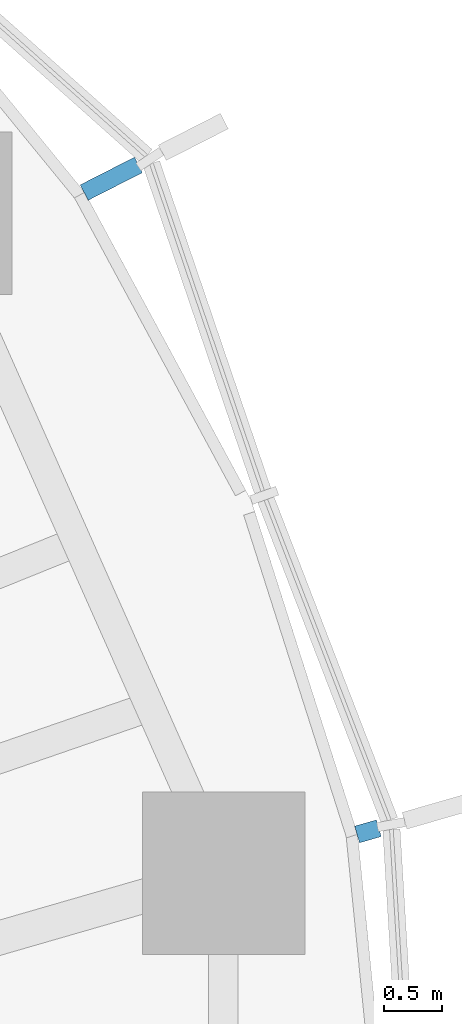
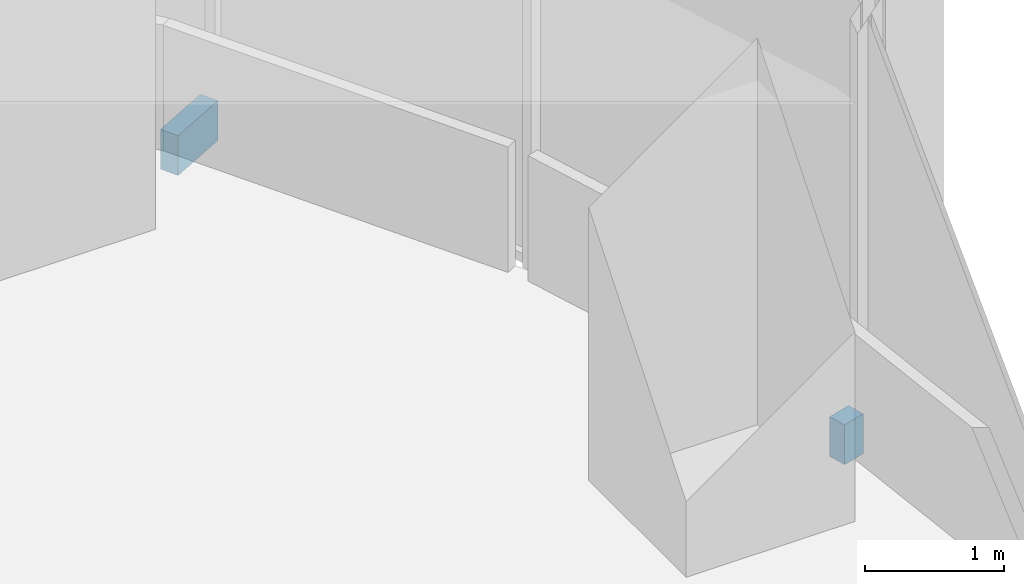
# One storey, part 16 of 18: 2 discrete accessories.
"""IFC4 building model written with IfcOpenShell, lengths in metres."""

from ifc_helpers import new_model, si_unit, direction, frame, origin, origin_2d, place, context, subcontext, project, spatial, rectangle, extrude, material, type_object, element, save


model = new_model("IFC4")

# Units and contexts
model_context = context("Model", 3, precision=1e-05, world=origin(), true_north=direction((0.0, 1.0)))
body_context = subcontext(model_context, "Body", "Model", "MODEL_VIEW")
ifc_project = project(units=[si_unit("LENGTHUNIT", "METRE"), si_unit("AREAUNIT", "SQUARE_METRE"), si_unit("VOLUMEUNIT", "CUBIC_METRE"), si_unit("PLANEANGLEUNIT", "RADIAN"), si_unit("MASSUNIT", "GRAM", prefix="KILO")], contexts=[model_context])

# Site, building, storey
site_placement = place(None, origin())
site = spatial("IfcSite", under=ifc_project, at=site_placement, CompositionType="ELEMENT")
building_placement = place(site_placement, origin())
building = spatial("IfcBuilding", under=site, at=building_placement, Name="Ghaith Harvest Tower", CompositionType="ELEMENT")
storey_placement = place(building_placement, frame((0.0, 0.0, 180.60009765625)))
storey = spatial("IfcBuildingStorey", under=building, at=storey_placement, Name="L39", CompositionType="ELEMENT", Elevation=180.60009765625)

# Discrete accessories
ifc_material_1 = material(Name="Stainless steel grade 1.4401", Category="steel")
discrete_accessory_type_1 = type_object("IfcDiscreteAccessoryType", Name="CURTAIN WALL BRACKET 195", PredefinedType="BRACKET", material=ifc_material_1)
discrete_accessory_1_placement = place(storey_placement, frame((30.528076171875, 8.8232421875, -0.250244140625), z_axis=(0.0, 0.0, 1.0), x_axis=(0.960680349985, 0.277656739792, 0.0)))
element("IfcDiscreteAccessory", 1, at=discrete_accessory_1_placement, inside=storey, type_object=discrete_accessory_type_1, Name="CW-L bracket 1 bay 02 L39", PredefinedType="BRACKET", context=body_context, shape_type="SweptSolid", body=[
    extrude(rectangle(XDim=0.195068359375, YDim=0.14990234375, at=origin_2d()), origin(), (0.0, 0.0, 1.0), 0.35009765625),
])
ifc_material_2 = material(Name="Stainless steel grade 1.4401", Category="steel")
discrete_accessory_type_2 = type_object("IfcDiscreteAccessoryType", Name="CURTAIN WALL BRACKET 525", PredefinedType="BRACKET", material=ifc_material_2)
discrete_accessory_2_placement = place(storey_placement, frame((28.318115234375, 14.442626953125, -0.250244140625), z_axis=(0.0, 0.0, 1.0), x_axis=(0.890830752257, 0.454335306611, 0.0)))
element("IfcDiscreteAccessory", 2, at=discrete_accessory_2_placement, inside=storey, type_object=discrete_accessory_type_2, Name="CW-L bracket 3 bay 02 L39", PredefinedType="BRACKET", context=body_context, shape_type="SweptSolid", body=[
    extrude(rectangle(XDim=0.52490234375, YDim=0.14990234375, at=origin_2d()), origin(), (0.0, 0.0, 1.0), 0.35009765625),
])

save(model, "model.ifc")
